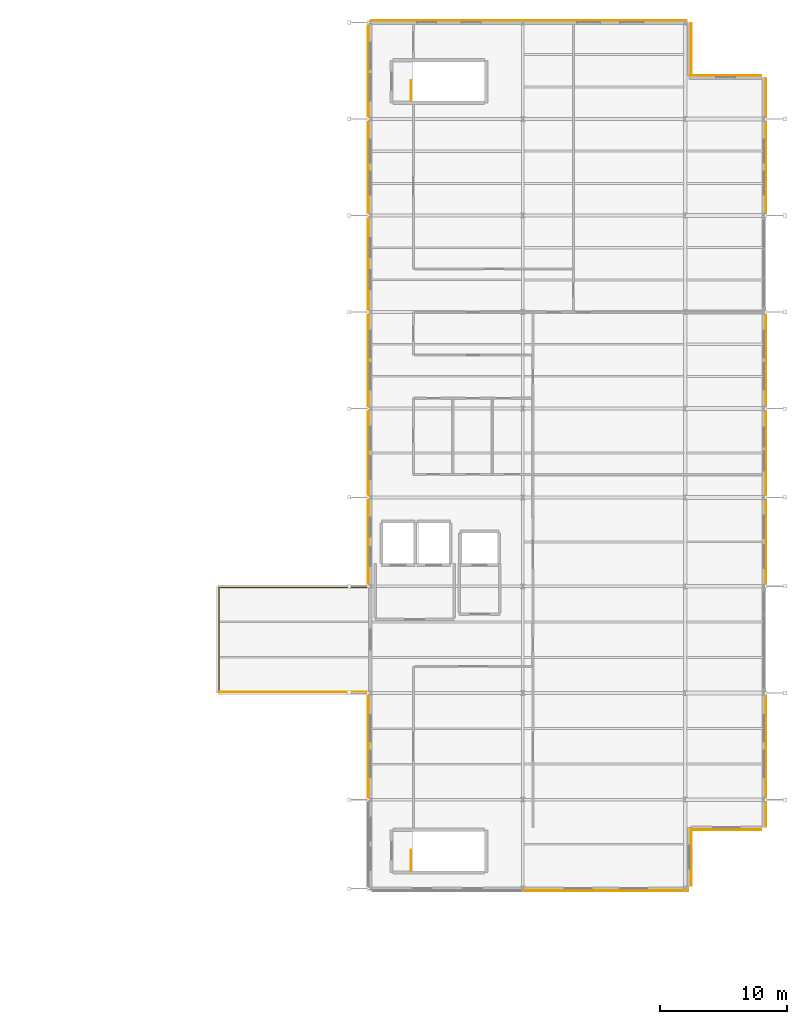
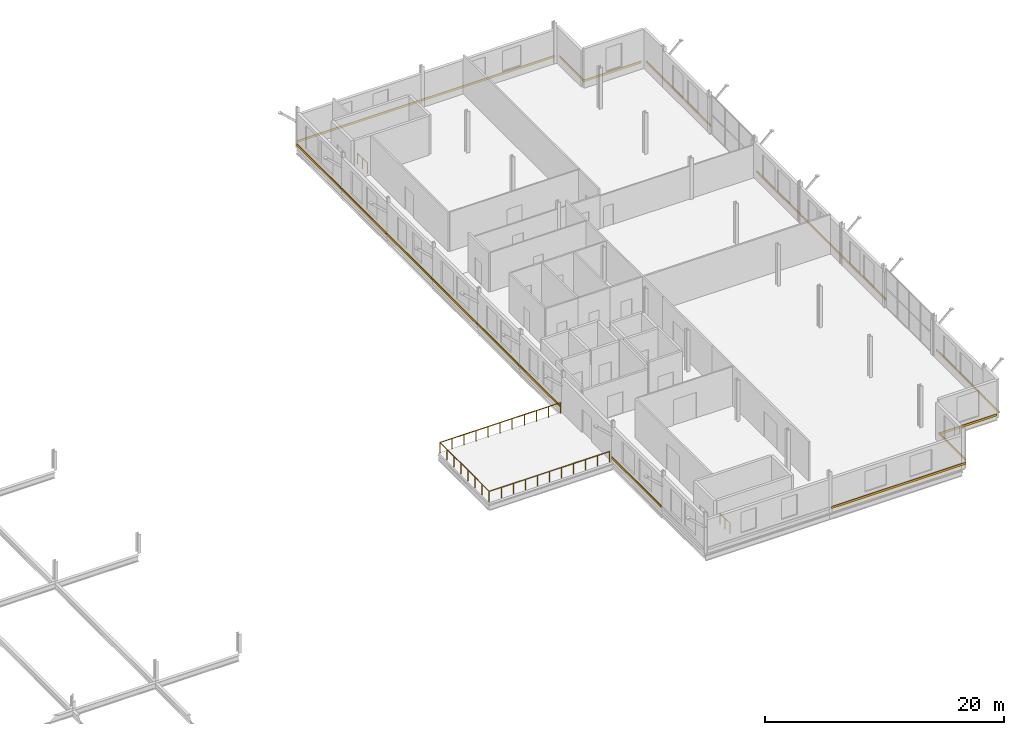
# One storey, part 25 of 25: 21 coverings, 4 railings.
"""IFC4 building model written with IfcOpenShell, lengths in metres."""

from ifc_helpers import new_model, si_unit, direction, frame, origin, origin_2d, place, context, subcontext, project, spatial, rectangle, circle, extrude, material, layer, layer_set, type_object, element, save


model = new_model("IFC4")

# Units and contexts
model_context = context("Model", 3, precision=1e-05, world=origin(), true_north=direction((0.0, 1.0)))
body_context = subcontext(model_context, "Body", "Model", "MODEL_VIEW")
ifc_project = project(units=[si_unit("LENGTHUNIT", "METRE"), si_unit("AREAUNIT", "SQUARE_METRE"), si_unit("VOLUMEUNIT", "CUBIC_METRE"), si_unit("PLANEANGLEUNIT", "RADIAN"), si_unit("MASSUNIT", "GRAM", prefix="KILO")], contexts=[model_context])

# Site, building, storey
site_placement = place(None, origin())
site = spatial("IfcSite", under=ifc_project, at=site_placement, CompositionType="ELEMENT")
building_placement = place(site_placement, origin())
building = spatial("IfcBuilding", under=site, at=building_placement, Name="Vekula Escarpment Museum", CompositionType="ELEMENT")
storey_placement = place(building_placement, frame((0.0, 0.0, 26.39990234375)))
storey = spatial("IfcBuildingStorey", under=building, at=storey_placement, Name="L06", CompositionType="ELEMENT", Elevation=26.39990234375)

# Coverings
ifc_material_1 = material(Name="Polychrome limestone almasik string-course band", Category="masonry")
ifc_layer = layer(ifc_material_1, 0.06005859375)
ifc_layer_set = layer_set([ifc_layer], Name="Polychrome limestone almasik string-course band")
covering_type = type_object("IfcCoveringType", Name="COV-ALM-BAND", PredefinedType="CLADDING", material=ifc_layer_set)
covering_1_placement = place(storey_placement, frame((198.166015625, 58.5, 0.41015625), z_axis=(0.0, 0.0, 1.0), x_axis=(0.0, 1.0, 0.0)))
element("IfcCovering", 1, at=covering_1_placement, inside=storey, type_object=covering_type, Name="Almasik Stone String Course L06-0671", PredefinedType="CLADDING", context=body_context, shape_type="SweptSolid", body=[
    extrude(rectangle(XDim=2.080078125, YDim=0.06005859375, at=origin_2d()), origin(), (0.0, 0.0, 1.0), 0.219970703125),
])
covering_2_placement = place(storey_placement, frame((198.166015625, 63.800048828125, 0.41015625), z_axis=(0.0, 0.0, 1.0), x_axis=(0.0, 1.0, 0.0)))
element("IfcCovering", 2, at=covering_2_placement, inside=storey, type_object=covering_type, Name="Almasik Stone String Course L06-0672", PredefinedType="CLADDING", context=body_context, shape_type="SweptSolid", body=[
    extrude(rectangle(XDim=8.280029296875, YDim=0.06005859375, at=origin_2d()), origin(), (0.0, 0.0, 1.0), 0.219970703125),
])
for number, where, z_axis, x_axis, name in (
    (3, (198.166015625, 79.89990234375, 0.41015625), (0.0, 0.0, 1.0), (0.0, 1.0, 0.0), "Almasik Stone String Course L06-0673"),
    (4, (198.166015625, 86.89990234375, 0.41015625), (0.0, 0.0, 1.0), (0.0, 1.0, 0.0), "Almasik Stone String Course L06-0674"),
):
    element("IfcCovering", number, at=place(storey_placement, frame(where, z_axis=z_axis, x_axis=x_axis)), inside=storey, type_object=covering_type, Name=name, PredefinedType="CLADDING", context=body_context, shape_type="SweptSolid", body=[
        extrude(rectangle(XDim=6.8798828125, YDim=0.06005859375, at=origin_2d()), origin(), (0.0, 0.0, 1.0), 0.219970703125),
    ])
for number, where, z_axis, x_axis, name in (
    (5, (198.166015625, 94.199951171875, 0.41015625), (0.0, 0.0, 1.0), (0.0, 1.0, 0.0), "Almasik Stone String Course L06-0675"),
    (6, (198.166015625, 109.39990234375, 0.41015625), (0.0, 0.0, 1.0), (0.0, 1.0, 0.0), "Almasik Stone String Course L06-0676"),
):
    element("IfcCovering", number, at=place(storey_placement, frame(where, z_axis=z_axis, x_axis=x_axis)), inside=storey, type_object=covering_type, Name=name, PredefinedType="CLADDING", context=body_context, shape_type="SweptSolid", body=[
        extrude(rectangle(XDim=7.47998046875, YDim=0.06005859375, at=origin_2d()), origin(), (0.0, 0.0, 1.0), 0.219970703125),
    ])
covering_3_placement = place(storey_placement, frame((198.166015625, 114.833984375, 0.41015625), z_axis=(0.0, 0.0, 1.0), x_axis=(0.0, 1.0, 0.0)))
element("IfcCovering", 7, at=covering_3_placement, inside=storey, type_object=covering_type, Name="Almasik Stone String Course L06-0677", PredefinedType="CLADDING", context=body_context, shape_type="SweptSolid", body=[
    extrude(rectangle(XDim=3.14794921875, YDim=0.06005859375, at=origin_2d()), origin(), (0.0, 0.0, 1.0), 0.219970703125),
])
covering_4_placement = place(storey_placement, frame((194.98291015625, 116.634033203125, 0.41015625), z_axis=(0.0, 0.0, 1.0), x_axis=(1.0, 0.0, 0.0)))
element("IfcCovering", 8, at=covering_4_placement, inside=storey, type_object=covering_type, Name="Almasik Stone String Course L06-0678", PredefinedType="CLADDING", context=body_context, shape_type="SweptSolid", body=[
    extrude(rectangle(XDim=5.6259765625, YDim=0.06005859375, at=origin_2d()), origin(), (0.0, 0.0, 1.0), 0.219970703125),
])
covering_5_placement = place(storey_placement, frame((192.27587890625, 118.7060546875, 0.41015625), z_axis=(0.0, 0.0, 1.0), x_axis=(0.0, 1.0, 0.0)))
element("IfcCovering", 9, at=covering_5_placement, inside=storey, type_object=covering_type, Name="Almasik Stone String Course L06-0679", PredefinedType="CLADDING", context=body_context, shape_type="SweptSolid", body=[
    extrude(rectangle(XDim=4.068115234375, YDim=0.06005859375, at=origin_2d()), origin(), (0.0, 0.0, 1.0), 0.219970703125),
])
covering_6_placement = place(storey_placement, frame((185.48291015625, 120.966064453125, 0.41015625), z_axis=(0.0, 0.0, 1.0), x_axis=(1.0, 0.0, 0.0)))
element("IfcCovering", 10, at=covering_6_placement, inside=storey, type_object=covering_type, Name="Almasik Stone String Course L06-0680", PredefinedType="CLADDING", context=body_context, shape_type="SweptSolid", body=[
    extrude(rectangle(XDim=12.845947265625, YDim=0.06005859375, at=origin_2d()), origin(), (0.0, 0.0, 1.0), 0.219970703125),
])
covering_7_placement = place(storey_placement, frame((173.0, 120.966064453125, 0.41015625), z_axis=(0.0, 0.0, 1.0), x_axis=(1.0, 0.0, 0.0)))
element("IfcCovering", 11, at=covering_7_placement, inside=storey, type_object=covering_type, Name="Almasik Stone String Course L06-0681", PredefinedType="CLADDING", context=body_context, shape_type="SweptSolid", body=[
    extrude(rectangle(XDim=11.8798828125, YDim=0.06005859375, at=origin_2d()), origin(), (0.0, 0.0, 1.0), 0.219970703125),
])
covering_8_placement = place(storey_placement, frame((166.833984375, 116.927978515625, 0.41015625), z_axis=(0.0, 0.0, 1.0), x_axis=(0.0, 1.0, 0.0)))
element("IfcCovering", 12, at=covering_8_placement, inside=storey, type_object=covering_type, Name="Almasik Stone String Course L06-0682", PredefinedType="CLADDING", context=body_context, shape_type="SweptSolid", body=[
    extrude(rectangle(XDim=7.3359375, YDim=0.06005859375, at=origin_2d()), origin(), (0.0, 0.0, 1.0), 0.219970703125),
])
for number, where, z_axis, x_axis, name in (
    (13, (166.833984375, 109.39990234375, 0.41015625), (0.0, 0.0, 1.0), (0.0, 1.0, 0.0), "Almasik Stone String Course L06-0683"),
    (14, (166.833984375, 101.800048828125, 0.41015625), (0.0, 0.0, 1.0), (0.0, 1.0, 0.0), "Almasik Stone String Course L06-0684"),
    (15, (166.833984375, 94.199951171875, 0.41015625), (0.0, 0.0, 1.0), (0.0, 1.0, 0.0), "Almasik Stone String Course L06-0685"),
):
    element("IfcCovering", number, at=place(storey_placement, frame(where, z_axis=z_axis, x_axis=x_axis)), inside=storey, type_object=covering_type, Name=name, PredefinedType="CLADDING", context=body_context, shape_type="SweptSolid", body=[
        extrude(rectangle(XDim=7.47998046875, YDim=0.06005859375, at=origin_2d()), origin(), (0.0, 0.0, 1.0), 0.219970703125),
    ])
for number, where, z_axis, x_axis, name in (
    (16, (166.833984375, 86.89990234375, 0.41015625), (0.0, 0.0, 1.0), (0.0, 1.0, 0.0), "Almasik Stone String Course L06-0686"),
    (17, (166.833984375, 79.89990234375, 0.41015625), (0.0, 0.0, 1.0), (0.0, 1.0, 0.0), "Almasik Stone String Course L06-0687"),
):
    element("IfcCovering", number, at=place(storey_placement, frame(where, z_axis=z_axis, x_axis=x_axis)), inside=storey, type_object=covering_type, Name=name, PredefinedType="CLADDING", context=body_context, shape_type="SweptSolid", body=[
        extrude(rectangle(XDim=6.8798828125, YDim=0.06005859375, at=origin_2d()), origin(), (0.0, 0.0, 1.0), 0.219970703125),
    ])
covering_9_placement = place(storey_placement, frame((166.833984375, 63.800048828125, 0.41015625), z_axis=(0.0, 0.0, 1.0), x_axis=(0.0, 1.0, 0.0)))
element("IfcCovering", 18, at=covering_9_placement, inside=storey, type_object=covering_type, Name="Almasik Stone String Course L06-0688", PredefinedType="CLADDING", context=body_context, shape_type="SweptSolid", body=[
    extrude(rectangle(XDim=8.280029296875, YDim=0.06005859375, at=origin_2d()), origin(), (0.0, 0.0, 1.0), 0.219970703125),
])
covering_10_placement = place(storey_placement, frame((185.554931640625, 52.43408203125, 0.41015625), z_axis=(0.0, 0.0, 1.0), x_axis=(1.0, 0.0, 0.0)))
element("IfcCovering", 19, at=covering_10_placement, inside=storey, type_object=covering_type, Name="Almasik Stone String Course L06-0691", PredefinedType="CLADDING", context=body_context, shape_type="SweptSolid", body=[
    extrude(rectangle(XDim=12.989990234375, YDim=0.06005859375, at=origin_2d()), origin(), (0.0, 0.0, 1.0), 0.219970703125),
])
covering_11_placement = place(storey_placement, frame((192.27587890625, 55.072021484375, 0.41015625), z_axis=(0.0, 0.0, 1.0), x_axis=(0.0, 1.0, 0.0)))
element("IfcCovering", 20, at=covering_11_placement, inside=storey, type_object=covering_type, Name="Almasik Stone String Course L06-0692", PredefinedType="CLADDING", context=body_context, shape_type="SweptSolid", body=[
    extrude(rectangle(XDim=4.535888671875, YDim=0.06005859375, at=origin_2d()), origin(), (0.0, 0.0, 1.0), 0.219970703125),
])
covering_12_placement = place(storey_placement, frame((195.054931640625, 57.23388671875, 0.41015625), z_axis=(0.0, 0.0, 1.0), x_axis=(1.0, 0.0, 0.0)))
element("IfcCovering", 21, at=covering_12_placement, inside=storey, type_object=covering_type, Name="Almasik Stone String Course L06-0693", PredefinedType="CLADDING", context=body_context, shape_type="SweptSolid", body=[
    extrude(rectangle(XDim=5.48193359375, YDim=0.06005859375, at=origin_2d()), origin(), (0.0, 0.0, 1.0), 0.219970703125),
])

# Railings
ifc_material_2 = material(Name="Painted Steel S355 stair guard", Category="steel")
railing_type_1 = type_object("IfcRailingType", Name="RL-STAIR-GUARD", PredefinedType="GUARDRAIL", material=ifc_material_2)
for number, where, name in (
    (22, (170.199951171875, 54.0, 0.0), "L06 ST-02 top well guard 1"),
    (23, (170.199951171875, 114.60009765625, 0.0), "L06 ST-05 top well guard 1"),
):
    element("IfcRailing", number, at=place(storey_placement, frame(where)), inside=storey, type_object=railing_type_1, Name=name, PredefinedType="GUARDRAIL", context=body_context, shape_type="SweptSolid", body=[
        extrude(circle(Radius=0.02392578125, at=origin_2d()), frame((0.0, 0.0, 1.076171875), z_axis=(0.0, 1.0, 0.0), x_axis=(-1.0, 0.0, 0.0)), (0.0, 0.0, 1.0), 1.64990234375),
        extrude(circle(Radius=0.02099609375, at=origin_2d()), origin(), (0.0, 0.0, 1.0), 1.052001953125),
        extrude(circle(Radius=0.02099609375, at=origin_2d()), frame((0.0, 0.824951171875, 0.0)), (0.0, 0.0, 1.0), 1.052001953125),
        extrude(circle(Radius=0.02099609375, at=origin_2d()), frame((0.0, 1.64990234375, 0.0)), (0.0, 0.0, 1.0), 1.052001953125),
    ])
ifc_material_3 = material(Name="Bronze-coated Steel S355 balustrade", Category="steel")
railing_type_2 = type_object("IfcRailingType", Name="RL-TER-GUARD", PredefinedType="GUARDRAIL", material=ifc_material_3)
railing_1_placement = place(storey_placement, frame((155.090087890625, 68.090087890625, 0.0)))
element("IfcRailing", 24, at=railing_1_placement, inside=storey, type_object=railing_type_2, Name="Terrace Balustrade L06-039", PredefinedType="GUARDRAIL", context=body_context, shape_type="SweptSolid", body=[
    extrude(circle(Radius=0.02392578125, at=origin_2d()), frame((0.0, 0.0, 1.076171875), z_axis=(0.0, 1.0, 0.0), x_axis=(-1.0, 0.0, 0.0)), (0.0, 0.0, 1.0), 8.219970703125),
    extrude(circle(Radius=0.02392578125, at=origin_2d()), frame((0.0, 8.219970703125, 1.076171875), z_axis=(1.0, 0.0, 0.0), x_axis=(0.0, 1.0, 0.0)), (0.0, 0.0, 1.0), 11.60986328125),
    extrude(circle(Radius=0.02099609375, at=origin_2d()), origin(), (0.0, 0.0, 1.0), 1.052001953125),
    extrude(circle(Radius=0.02099609375, at=origin_2d()), frame((0.0, 1.17431640625, 0.0)), (0.0, 0.0, 1.0), 1.052001953125),
    extrude(circle(Radius=0.02099609375, at=origin_2d()), frame((0.0, 2.3486328125, 0.0)), (0.0, 0.0, 1.0), 1.052001953125),
    extrude(circle(Radius=0.02099609375, at=origin_2d()), frame((0.0, 3.52294921875, 0.0)), (0.0, 0.0, 1.0), 1.052001953125),
    extrude(circle(Radius=0.02099609375, at=origin_2d()), frame((0.0, 4.697021484375, 0.0)), (0.0, 0.0, 1.0), 1.052001953125),
    extrude(circle(Radius=0.02099609375, at=origin_2d()), frame((0.0, 5.871337890625, 0.0)), (0.0, 0.0, 1.0), 1.052001953125),
    extrude(circle(Radius=0.02099609375, at=origin_2d()), frame((0.0, 7.045654296875, 0.0)), (0.0, 0.0, 1.0), 1.052001953125),
    extrude(circle(Radius=0.02099609375, at=origin_2d()), frame((0.0, 8.219970703125, 0.0)), (0.0, 0.0, 1.0), 1.052001953125),
    extrude(circle(Radius=0.02099609375, at=origin_2d()), frame((1.160888671875, 8.219970703125, 0.0)), (0.0, 0.0, 1.0), 1.052001953125),
    extrude(circle(Radius=0.02099609375, at=origin_2d()), frame((2.322021484375, 8.219970703125, 0.0)), (0.0, 0.0, 1.0), 1.052001953125),
    extrude(circle(Radius=0.02099609375, at=origin_2d()), frame((3.48291015625, 8.219970703125, 0.0)), (0.0, 0.0, 1.0), 1.052001953125),
    extrude(circle(Radius=0.02099609375, at=origin_2d()), frame((4.64404296875, 8.219970703125, 0.0)), (0.0, 0.0, 1.0), 1.052001953125),
    extrude(circle(Radius=0.02099609375, at=origin_2d()), frame((5.804931640625, 8.219970703125, 0.0)), (0.0, 0.0, 1.0), 1.052001953125),
    extrude(circle(Radius=0.02099609375, at=origin_2d()), frame((6.9658203125, 8.219970703125, 0.0)), (0.0, 0.0, 1.0), 1.052001953125),
    extrude(circle(Radius=0.02099609375, at=origin_2d()), frame((8.126953125, 8.219970703125, 0.0)), (0.0, 0.0, 1.0), 1.052001953125),
    extrude(circle(Radius=0.02099609375, at=origin_2d()), frame((9.287841796875, 8.219970703125, 0.0)), (0.0, 0.0, 1.0), 1.052001953125),
    extrude(circle(Radius=0.02099609375, at=origin_2d()), frame((10.448974609375, 8.219970703125, 0.0)), (0.0, 0.0, 1.0), 1.052001953125),
    extrude(circle(Radius=0.02099609375, at=origin_2d()), frame((11.60986328125, 8.219970703125, 0.0)), (0.0, 0.0, 1.0), 1.052001953125),
])
railing_2_placement = place(storey_placement, frame((166.699951171875, 68.090087890625, 0.0)))
element("IfcRailing", 25, at=railing_2_placement, inside=storey, type_object=railing_type_2, Name="Terrace Balustrade L06-040", PredefinedType="GUARDRAIL", context=body_context, shape_type="SweptSolid", body=[
    extrude(circle(Radius=0.02392578125, at=origin_2d()), frame((0.0, 0.0, 1.076171875), z_axis=(-1.0, 0.0, 0.0), x_axis=(0.0, -1.0, 0.0)), (0.0, 0.0, 1.0), 11.60986328125),
    extrude(circle(Radius=0.02099609375, at=origin_2d()), origin(), (0.0, 0.0, 1.0), 1.052001953125),
    extrude(circle(Radius=0.02099609375, at=origin_2d()), frame((-1.160888671875, 0.0, 0.0)), (0.0, 0.0, 1.0), 1.052001953125),
    extrude(circle(Radius=0.02099609375, at=origin_2d()), frame((-2.322021484375, 0.0, 0.0)), (0.0, 0.0, 1.0), 1.052001953125),
    extrude(circle(Radius=0.02099609375, at=origin_2d()), frame((-3.48291015625, 0.0, 0.0)), (0.0, 0.0, 1.0), 1.052001953125),
    extrude(circle(Radius=0.02099609375, at=origin_2d()), frame((-4.64404296875, 0.0, 0.0)), (0.0, 0.0, 1.0), 1.052001953125),
    extrude(circle(Radius=0.02099609375, at=origin_2d()), frame((-5.804931640625, 0.0, 0.0)), (0.0, 0.0, 1.0), 1.052001953125),
    extrude(circle(Radius=0.02099609375, at=origin_2d()), frame((-6.9658203125, 0.0, 0.0)), (0.0, 0.0, 1.0), 1.052001953125),
    extrude(circle(Radius=0.02099609375, at=origin_2d()), frame((-8.126953125, 0.0, 0.0)), (0.0, 0.0, 1.0), 1.052001953125),
    extrude(circle(Radius=0.02099609375, at=origin_2d()), frame((-9.287841796875, 0.0, 0.0)), (0.0, 0.0, 1.0), 1.052001953125),
    extrude(circle(Radius=0.02099609375, at=origin_2d()), frame((-10.448974609375, 0.0, 0.0)), (0.0, 0.0, 1.0), 1.052001953125),
    extrude(circle(Radius=0.02099609375, at=origin_2d()), frame((-11.60986328125, 0.0, 0.0)), (0.0, 0.0, 1.0), 1.052001953125),
])

save(model, "model.ifc")
